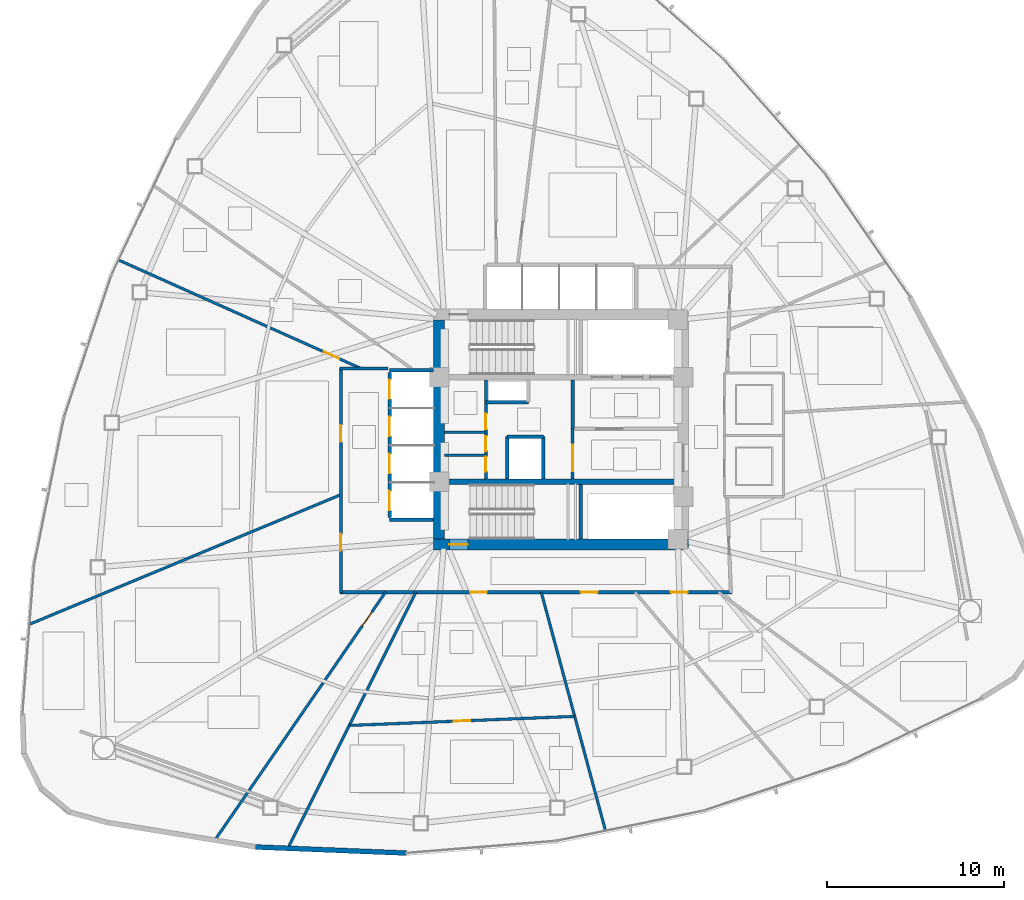
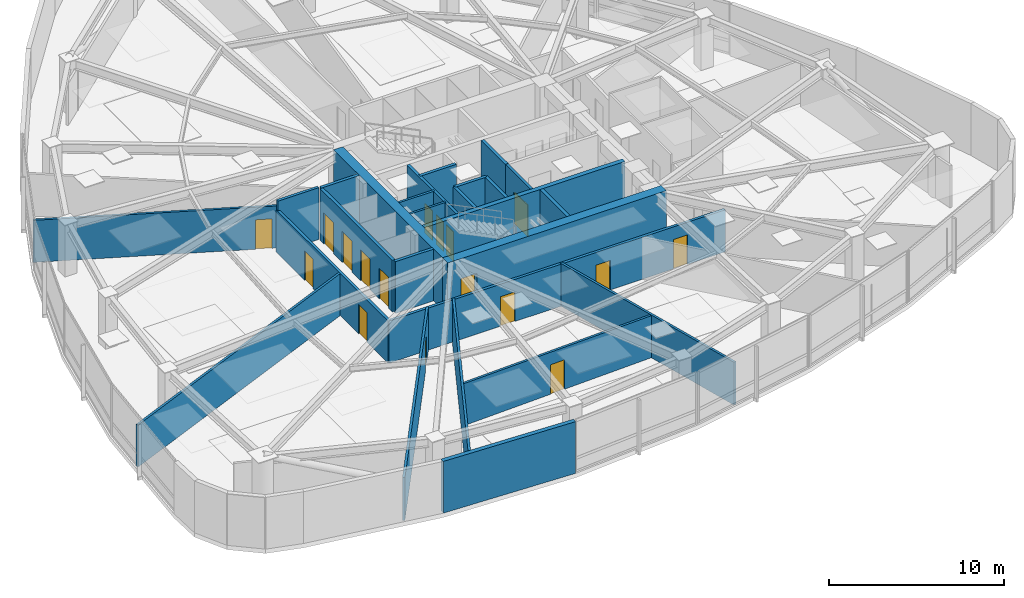
# One storey, part 12 of 18: 26 walls, 17 doors, 17 openings.
"""IFC4 building model written with IfcOpenShell, lengths in metres."""

from ifc_helpers import new_model, si_unit, direction, frame, frame_2d, origin, place, context, subcontext, project, spatial, rectangle, extrude, material, layer, layer_set, type_object, element, fill, save


model = new_model("IFC4")

# Units and contexts
model_context = context("Model", 3, precision=1e-05, world=origin(), true_north=direction((0.0, 1.0)))
body_context = subcontext(model_context, "Body", "Model", "MODEL_VIEW")
ifc_project = project(units=[si_unit("LENGTHUNIT", "METRE"), si_unit("AREAUNIT", "SQUARE_METRE"), si_unit("VOLUMEUNIT", "CUBIC_METRE"), si_unit("PLANEANGLEUNIT", "RADIAN"), si_unit("MASSUNIT", "GRAM", prefix="KILO")], contexts=[model_context])

# Site, building, storey
site_placement = place(None, origin())
site = spatial("IfcSite", under=ifc_project, at=site_placement, CompositionType="ELEMENT")
building_placement = place(site_placement, origin())
building = spatial("IfcBuilding", under=site, at=building_placement, Name="Tavelor Broadcast Tower", CompositionType="ELEMENT")
storey_placement = place(building_placement, frame((0.0, 0.0, 58.800048828125)))
storey = spatial("IfcBuildingStorey", under=building, at=storey_placement, Name="L13", CompositionType="ELEMENT", Elevation=58.800048828125)

# Wall, opening, door
ifc_material_1 = material(Name="Concrete C60/75", Category="concrete")
ifc_layer_1 = layer(ifc_material_1, 0.60009765625)
ifc_layer_set_1 = layer_set([ifc_layer_1], Name="Concrete C60/75")
wall_type_1 = type_object("IfcWallType", Name="Core Shear Wall 600 mm", PredefinedType="SHEAR", material=ifc_layer_set_1)
wall_1_placement = place(storey_placement, frame((42.800048828125, 38.5, 0.0), z_axis=(0.0, 0.0, 1.0), x_axis=(1.0, 0.0, 0.0)))
wall_1 = element("IfcWall", 1, at=wall_1_placement, inside=storey, type_object=wall_type_1, Name="L13 Central Core Shear Wall S", PredefinedType="SHEAR", context=body_context, shape_type="SweptSolid", body=[
    extrude(rectangle(XDim=14.39990234375, YDim=0.60009765625, at=frame_2d((7.199951171875, 0.0))), origin(), (0.0, 0.0, 1.0), 3.599853515625),
])
opening_1_placement = place(wall_1_placement, frame((0.8798828125, 0.0, 0.0)))
opening_1 = element("IfcOpeningElement", 2, at=opening_1_placement, cuts=wall_1, Name="Opening DR11", PredefinedType="OPENING", context=body_context, shape_type="SweptSolid", body=[
    extrude(rectangle(XDim=1.050048828125, YDim=2.199951171875, at=frame_2d((0.52490234375, 1.10009765625))), frame((0.0, 0.31005859375, 0.0), z_axis=(0.0, -1.0, 0.0), x_axis=(1.0, 0.0, 0.0)), (0.0, 0.0, 1.0), 0.6201171875),
])
ifc_material_2 = material(Name="Steel S355", Category="steel")
door_type_1 = type_object("IfcDoorType", Name="Stair Core Fire Escape Door 1050x2200", OperationType="NOTDEFINED", PredefinedType="DOOR", material=ifc_material_2)
door_1_placement = place(opening_1_placement, origin())
door_1 = element("IfcDoor", 3, at=door_1_placement, inside=storey, type_object=door_type_1, Name="L13 Stair ST2 Protected Exit Door", OperationType="SINGLE_SWING_RIGHT", OverallHeight=2.199951171875, OverallWidth=1.050048828125, PredefinedType="DOOR", context=body_context, shape_type="SweptSolid", body=[
    extrude(rectangle(XDim=1.050048828125, YDim=2.199951171875, at=frame_2d((0.52490234375, 1.10009765625))), frame((0.0, 0.02490234375, 0.0), z_axis=(0.0, -1.0, 0.0), x_axis=(1.0, 0.0, 0.0)), (0.0, 0.0, 1.0), 0.050048828125),
])
fill(opening_1, door_1)

# Walls
wall_2_placement = place(storey_placement, frame((43.10009765625, 38.800048828125, 0.0), z_axis=(0.0, 0.0, 1.0), x_axis=(0.0, 1.0, 0.0)))
element("IfcWall", 4, at=wall_2_placement, inside=storey, type_object=wall_type_1, Name="L13 Central Core Shear Wall W", PredefinedType="SHEAR", context=body_context, shape_type="SweptSolid", body=[
    extrude(rectangle(XDim=12.39990234375, YDim=0.60009765625, at=frame_2d((6.199951171875, 0.0))), origin(), (0.0, 0.0, 1.0), 3.599853515625),
])
ifc_layer_2 = layer(ifc_material_1, 0.300048828125)
ifc_layer_set_2 = layer_set([ifc_layer_2], Name="Concrete C60/75")
wall_type_2 = type_object("IfcWallType", Name="Core Spine Shear Wall 300 mm C60", PredefinedType="SHEAR", material=ifc_layer_set_2)
wall_3_placement = place(storey_placement, frame((43.39990234375, 42.050048828125, 0.0), z_axis=(0.0, 0.0, 1.0), x_axis=(1.0, 0.0, 0.0)))
element("IfcWall", 5, at=wall_3_placement, inside=storey, type_object=wall_type_2, Name="L13 Central Core Shear Wall SP2", PredefinedType="SHEAR", context=body_context, shape_type="SweptSolid", body=[
    extrude(rectangle(XDim=13.2001953125, YDim=0.300048828125, at=frame_2d((6.60009765625, 0.0))), origin(), (0.0, 0.0, 1.0), 3.599853515625),
])

# Wall, opening, door
ifc_material_3 = material(Name="Calcium Silicate Fire Board 180 mm", Category="gypsum")
ifc_layer_3 = layer(ifc_material_3, 0.179931640625)
ifc_layer_set_3 = layer_set([ifc_layer_3], Name="Calcium Silicate Fire Board 180 mm")
wall_type_3 = type_object("IfcWallType", Name="Fire-Rated Corridor Partition Wall 180 mm", PredefinedType="PARTITIONING", material=ifc_layer_set_3)
wall_4_placement = place(storey_placement, frame((50.64990234375, 42.199951171875, 0.0), z_axis=(0.0, 0.0, 1.0), x_axis=(0.0, 1.0, 0.0)))
wall_4 = element("IfcWall", 6, at=wall_4_placement, inside=storey, type_object=wall_type_3, Name="L13 Core Lobby Zoning Wall", PredefinedType="PARTITIONING", context=body_context, shape_type="SweptSolid", body=[
    extrude(rectangle(XDim=2.85009765625, YDim=0.179931640625, at=frame_2d((1.425048828125, 0.0))), origin(), (0.0, 0.0, 1.0), 3.599853515625),
])
opening_2_placement = place(wall_4_placement, frame((0.449951171875, 0.0, 0.0)))
opening_2 = element("IfcOpeningElement", 7, at=opening_2_placement, cuts=wall_4, Name="Opening DR14", PredefinedType="OPENING", context=body_context, shape_type="SweptSolid", body=[
    extrude(rectangle(XDim=1.5, YDim=2.199951171875, at=frame_2d((0.75, 1.10009765625))), frame((0.0, 0.10009765625, 0.0), z_axis=(0.0, -1.0, 0.0), x_axis=(1.0, 0.0, 0.0)), (0.0, 0.0, 1.0), 0.199951171875),
])
door_type_2 = type_object("IfcDoorType", Name="Firefighting Lobby Double Fire Door 1500x2200", OperationType="NOTDEFINED", PredefinedType="DOOR", material=ifc_material_2)
door_2_placement = place(opening_2_placement, origin())
door_2 = element("IfcDoor", 8, at=door_2_placement, inside=storey, type_object=door_type_2, Name="L13 Core West Lobby Double Fire Door", OperationType="SINGLE_SWING_RIGHT", OverallHeight=2.199951171875, OverallWidth=1.5, PredefinedType="DOOR", context=body_context, shape_type="SweptSolid", body=[
    extrude(rectangle(XDim=1.5, YDim=2.199951171875, at=frame_2d((0.75, 1.10009765625))), frame((0.0, 0.02490234375, 0.0), z_axis=(0.0, -1.0, 0.0), x_axis=(1.0, 0.0, 0.0)), (0.0, 0.0, 1.0), 0.050048828125),
])
fill(opening_2, door_2)

# Wall, openings, doors
wall_5_placement = place(storey_placement, frame((45.75, 42.199951171875, 0.0), z_axis=(0.0, 0.0, 1.0), x_axis=(0.0, 1.0, 0.0)))
wall_5 = element("IfcWall", 9, at=wall_5_placement, inside=storey, type_object=wall_type_3, Name="L13 Core West Service East Wall", PredefinedType="PARTITIONING", context=body_context, shape_type="SweptSolid", body=[
    extrude(rectangle(XDim=5.60009765625, YDim=0.179931640625, at=frame_2d((2.800048828125, 0.0))), origin(), (0.0, 0.0, 1.0), 3.599853515625),
])
opening_3_placement = place(wall_5_placement, frame((0.419921875, 0.0, 0.0)))
opening_3 = element("IfcOpeningElement", 10, at=opening_3_placement, cuts=wall_5, Name="Opening DR36", PredefinedType="OPENING", context=body_context, shape_type="SweptSolid", body=[
    extrude(rectangle(XDim=0.85009765625, YDim=2.050048828125, at=frame_2d((0.425048828125, 1.02490234375))), frame((0.0, 0.10009765625, 0.0), z_axis=(0.0, -1.0, 0.0), x_axis=(1.0, 0.0, 0.0)), (0.0, 0.0, 1.0), 0.199951171875),
])
opening_4_placement = place(wall_5_placement, frame((1.570068359375, 0.0, 0.0)))
opening_4 = element("IfcOpeningElement", 11, at=opening_4_placement, cuts=wall_5, Name="Opening DR36", PredefinedType="OPENING", context=body_context, shape_type="SweptSolid", body=[
    extrude(rectangle(XDim=0.85009765625, YDim=2.050048828125, at=frame_2d((0.425048828125, 1.02490234375))), frame((0.0, 0.10009765625, 0.0), z_axis=(0.0, -1.0, 0.0), x_axis=(1.0, 0.0, 0.0)), (0.0, 0.0, 1.0), 0.199951171875),
])
opening_5_placement = place(wall_5_placement, frame((2.800048828125, 0.0, 0.0)))
opening_5 = element("IfcOpeningElement", 12, at=opening_5_placement, cuts=wall_5, Name="Opening DR32", PredefinedType="OPENING", context=body_context, shape_type="SweptSolid", body=[
    extrude(rectangle(XDim=0.89990234375, YDim=2.050048828125, at=frame_2d((0.449951171875, 1.02490234375))), frame((0.0, 0.10009765625, 0.0), z_axis=(0.0, -1.0, 0.0), x_axis=(1.0, 0.0, 0.0)), (0.0, 0.0, 1.0), 0.199951171875),
])
ifc_material_4 = material(Name="Timber Solid Core Hardwood", Category="wood")
door_type_3 = type_object("IfcDoorType", Name="Accessible Washroom Door 900x2050", OperationType="NOTDEFINED", PredefinedType="DOOR", material=ifc_material_4)
door_3_placement = place(opening_5_placement, origin())
door_3 = element("IfcDoor", 13, at=door_3_placement, inside=storey, type_object=door_type_3, Name="L13 Core Accessible WC Door", OperationType="SINGLE_SWING_LEFT", OverallHeight=2.050048828125, OverallWidth=0.89990234375, PredefinedType="DOOR", context=body_context, shape_type="SweptSolid", body=[
    extrude(rectangle(XDim=0.89990234375, YDim=2.050048828125, at=frame_2d((0.449951171875, 1.02490234375))), frame((0.0, 0.02490234375, 0.0), z_axis=(0.0, -1.0, 0.0), x_axis=(1.0, 0.0, 0.0)), (0.0, 0.0, 1.0), 0.050048828125),
])
fill(opening_5, door_3)
door_type_4 = type_object("IfcDoorType", Name="Service Room Fire Door 850x2050", OperationType="NOTDEFINED", PredefinedType="DOOR", material=ifc_material_2)
door_4_placement = place(opening_3_placement, origin())
door_4 = element("IfcDoor", 14, at=door_4_placement, inside=storey, type_object=door_type_4, Name="L13 Core Medical Room Door", OperationType="SINGLE_SWING_LEFT", OverallHeight=2.050048828125, OverallWidth=0.85009765625, PredefinedType="DOOR", context=body_context, shape_type="SweptSolid", body=[
    extrude(rectangle(XDim=0.85009765625, YDim=2.050048828125, at=frame_2d((0.425048828125, 1.02490234375))), frame((0.0, 0.02490234375, 0.0), z_axis=(0.0, -1.0, 0.0), x_axis=(1.0, 0.0, 0.0)), (0.0, 0.0, 1.0), 0.050048828125),
])
fill(opening_3, door_4)
door_5_placement = place(opening_4_placement, origin())
door_5 = element("IfcDoor", 15, at=door_5_placement, inside=storey, type_object=door_type_4, Name="L13 Core Copy Room Door", OperationType="SINGLE_SWING_RIGHT", OverallHeight=2.050048828125, OverallWidth=0.85009765625, PredefinedType="DOOR", context=body_context, shape_type="SweptSolid", body=[
    extrude(rectangle(XDim=0.85009765625, YDim=2.050048828125, at=frame_2d((0.425048828125, 1.02490234375))), frame((0.0, 0.02490234375, 0.0), z_axis=(0.0, -1.0, 0.0), x_axis=(1.0, 0.0, 0.0)), (0.0, 0.0, 1.0), 0.050048828125),
])
fill(opening_4, door_5)

wall_6_placement = place(storey_placement, frame((59.64990234375, 35.800048828125, 0.0), z_axis=(0.0, 0.0, 1.0), x_axis=(-1.0, 0.0, 0.0)))
wall_6 = element("IfcWall", 16, at=wall_6_placement, inside=storey, type_object=wall_type_3, Name="L13 Corridor Compartment Wall 04", PredefinedType="PARTITIONING", context=body_context, shape_type="SweptSolid", body=[
    extrude(rectangle(XDim=22.14990234375, YDim=0.179931640625, at=frame_2d((11.074951171875, 0.0))), origin(), (0.0, 0.0, 1.0), 2.925048828125),
])
opening_6_placement = place(wall_6_placement, frame((2.49267578125, 0.0, 0.0)))
opening_6 = element("IfcOpeningElement", 17, at=opening_6_placement, cuts=wall_6, Name="Opening DR18", PredefinedType="OPENING", context=body_context, shape_type="SweptSolid", body=[
    extrude(rectangle(XDim=0.949951171875, YDim=2.050048828125, at=frame_2d((0.47509765625, 1.02490234375))), frame((0.0, 0.10009765625, 0.0), z_axis=(0.0, -1.0, 0.0), x_axis=(1.0, 0.0, 0.0)), (0.0, 0.0, 1.0), 0.199951171875),
])
opening_7_placement = place(wall_6_placement, frame((7.58837890625, 0.0, 0.0)))
opening_7 = element("IfcOpeningElement", 18, at=opening_7_placement, cuts=wall_6, Name="Opening DR18", PredefinedType="OPENING", context=body_context, shape_type="SweptSolid", body=[
    extrude(rectangle(XDim=0.949951171875, YDim=2.050048828125, at=frame_2d((0.47509765625, 1.02490234375))), frame((0.0, 0.10009765625, 0.0), z_axis=(0.0, -1.0, 0.0), x_axis=(1.0, 0.0, 0.0)), (0.0, 0.0, 1.0), 0.199951171875),
])
opening_8_placement = place(wall_6_placement, frame((13.847900390625, 0.0, 0.0)))
opening_8 = element("IfcOpeningElement", 19, at=opening_8_placement, cuts=wall_6, Name="Opening DR18", PredefinedType="OPENING", context=body_context, shape_type="SweptSolid", body=[
    extrude(rectangle(XDim=0.949951171875, YDim=2.050048828125, at=frame_2d((0.47509765625, 1.02490234375))), frame((0.0, 0.10009765625, 0.0), z_axis=(0.0, -1.0, 0.0), x_axis=(1.0, 0.0, 0.0)), (0.0, 0.0, 1.0), 0.199951171875),
])
door_type_5 = type_object("IfcDoorType", Name="Corridor Rated Compartment Door 950x2050", OperationType="NOTDEFINED", PredefinedType="DOOR", material=ifc_material_4)
door_6_placement = place(opening_6_placement, origin())
door_6 = element("IfcDoor", 20, at=door_6_placement, inside=storey, type_object=door_type_5, Name="L13 Broadcast Crew Room Door R11", OperationType="SINGLE_SWING_LEFT", OverallHeight=2.050048828125, OverallWidth=0.949951171875, PredefinedType="DOOR", context=body_context, shape_type="SweptSolid", body=[
    extrude(rectangle(XDim=0.949951171875, YDim=2.050048828125, at=frame_2d((0.47509765625, 1.02490234375))), frame((0.0, 0.02490234375, 0.0), z_axis=(0.0, -1.0, 0.0), x_axis=(1.0, 0.0, 0.0)), (0.0, 0.0, 1.0), 0.050048828125),
])
fill(opening_6, door_6)
door_7_placement = place(opening_7_placement, origin())
door_7 = element("IfcDoor", 21, at=door_7_placement, inside=storey, type_object=door_type_5, Name="L13 International Bureau Office Door R12", OperationType="SINGLE_SWING_RIGHT", OverallHeight=2.050048828125, OverallWidth=0.949951171875, PredefinedType="DOOR", context=body_context, shape_type="SweptSolid", body=[
    extrude(rectangle(XDim=0.949951171875, YDim=2.050048828125, at=frame_2d((0.47509765625, 1.02490234375))), frame((0.0, 0.02490234375, 0.0), z_axis=(0.0, -1.0, 0.0), x_axis=(1.0, 0.0, 0.0)), (0.0, 0.0, 1.0), 0.050048828125),
])
fill(opening_7, door_7)
door_8_placement = place(opening_8_placement, origin())
door_8 = element("IfcDoor", 22, at=door_8_placement, inside=storey, type_object=door_type_5, Name="L13 Wellness Quiet Room Door R13", OperationType="SINGLE_SWING_LEFT", OverallHeight=2.050048828125, OverallWidth=0.949951171875, PredefinedType="DOOR", context=body_context, shape_type="SweptSolid", body=[
    extrude(rectangle(XDim=0.949951171875, YDim=2.050048828125, at=frame_2d((0.47509765625, 1.02490234375))), frame((0.0, 0.02490234375, 0.0), z_axis=(0.0, -1.0, 0.0), x_axis=(1.0, 0.0, 0.0)), (0.0, 0.0, 1.0), 0.050048828125),
])
fill(opening_8, door_8)

wall_7_placement = place(storey_placement, frame((37.550048828125, 35.75, 0.0), z_axis=(0.0, 0.0, 1.0), x_axis=(0.0, 1.0, 0.0)))
wall_7 = element("IfcWall", 23, at=wall_7_placement, inside=storey, type_object=wall_type_3, Name="L13 Corridor Compartment Wall 05", PredefinedType="PARTITIONING", context=body_context, shape_type="SweptSolid", body=[
    extrude(rectangle(XDim=12.75, YDim=0.179931640625, at=frame_2d((6.375, 0.0))), origin(), (0.0, 0.0, 1.0), 2.925048828125),
])
opening_9_placement = place(wall_7_placement, frame((2.39990234375, 0.0, 0.0)))
opening_9 = element("IfcOpeningElement", 24, at=opening_9_placement, cuts=wall_7, Name="Opening DR18", PredefinedType="OPENING", context=body_context, shape_type="SweptSolid", body=[
    extrude(rectangle(XDim=0.949951171875, YDim=2.050048828125, at=frame_2d((0.47509765625, 1.02490234375))), frame((0.0, 0.10009765625, 0.0), z_axis=(0.0, -1.0, 0.0), x_axis=(1.0, 0.0, 0.0)), (0.0, 0.0, 1.0), 0.199951171875),
])
opening_10_placement = place(wall_7_placement, frame((8.546875, 0.0, 0.0)))
opening_10 = element("IfcOpeningElement", 25, at=opening_10_placement, cuts=wall_7, Name="Opening DR18", PredefinedType="OPENING", context=body_context, shape_type="SweptSolid", body=[
    extrude(rectangle(XDim=0.949951171875, YDim=2.050048828125, at=frame_2d((0.47509765625, 1.02490234375))), frame((0.0, 0.10009765625, 0.0), z_axis=(0.0, -1.0, 0.0), x_axis=(1.0, 0.0, 0.0)), (0.0, 0.0, 1.0), 0.199951171875),
])
door_9_placement = place(opening_9_placement, origin())
door_9 = element("IfcDoor", 26, at=door_9_placement, inside=storey, type_object=door_type_5, Name="L13 VFX Compositing Lab Door R2", OperationType="SINGLE_SWING_RIGHT", OverallHeight=2.050048828125, OverallWidth=0.949951171875, PredefinedType="DOOR", context=body_context, shape_type="SweptSolid", body=[
    extrude(rectangle(XDim=0.949951171875, YDim=2.050048828125, at=frame_2d((0.47509765625, 1.02490234375))), frame((0.0, 0.02490234375, 0.0), z_axis=(0.0, -1.0, 0.0), x_axis=(1.0, 0.0, 0.0)), (0.0, 0.0, 1.0), 0.050048828125),
])
fill(opening_9, door_9)
door_10_placement = place(opening_10_placement, origin())
door_10 = element("IfcDoor", 27, at=door_10_placement, inside=storey, type_object=door_type_5, Name="L13 Broadcast Production Studio Door R3", OperationType="SINGLE_SWING_LEFT", OverallHeight=2.050048828125, OverallWidth=0.949951171875, PredefinedType="DOOR", context=body_context, shape_type="SweptSolid", body=[
    extrude(rectangle(XDim=0.949951171875, YDim=2.050048828125, at=frame_2d((0.47509765625, 1.02490234375))), frame((0.0, 0.02490234375, 0.0), z_axis=(0.0, -1.0, 0.0), x_axis=(1.0, 0.0, 0.0)), (0.0, 0.0, 1.0), 0.050048828125),
])
fill(opening_10, door_10)

# Walls
wall_8_placement = place(storey_placement, frame((37.5, 48.449951171875, 0.0), z_axis=(0.0, 0.0, 1.0), x_axis=(1.0, 0.0, 0.0)))
element("IfcWall", 28, at=wall_8_placement, inside=storey, type_object=wall_type_3, Name="L13 Corridor Compartment Wall 06", PredefinedType="PARTITIONING", context=body_context, shape_type="SweptSolid", body=[
    extrude(rectangle(XDim=2.699951171875, YDim=0.179931640625, at=frame_2d((1.35009765625, 0.0))), origin(), (0.0, 0.0, 1.0), 3.599853515625),
])
ifc_material_5 = material(Name="Precast Concrete C40/50", Category="concrete")
ifc_layer_4 = layer(ifc_material_5, 0.280029296875)
ifc_layer_set_4 = layer_set([ifc_layer_4], Name="Precast Concrete C40/50")
wall_type_4 = type_object("IfcWallType", Name="Insulated Precast Terracotta Facade Wall 280 mm", PredefinedType="STANDARD", material=ifc_layer_set_4)
wall_9_placement = place(storey_placement, frame((32.73193359375, 21.393798828125, 0.0), z_axis=(0.0, 0.0, 1.0), x_axis=(0.999176184283, -0.040582665776, 0.0)))
element("IfcWall", 29, at=wall_9_placement, inside=storey, type_object=wall_type_4, Name="L13 Rounded Corner Structural Cladding Pier 16", PredefinedType="STANDARD", context=body_context, shape_type="SweptSolid", body=[
    extrude(rectangle(XDim=8.5185546875, YDim=0.280029296875, at=frame_2d((4.25927734375, 0.0))), origin(), (0.0, 0.0, 1.0), 3.599853515625),
])
ifc_material_6 = material(Name="Gypsum Acoustic Plasterboard 150 mm", Category="gypsum")
ifc_layer_5 = layer(ifc_material_6, 0.14990234375)
ifc_layer_set_5 = layer_set([ifc_layer_5], Name="Gypsum Acoustic Plasterboard 150 mm")
wall_type_5 = type_object("IfcWallType", Name="Interior Acoustic Partition Wall 150 mm", PredefinedType="PARTITIONING", material=ifc_layer_set_5)
for number, where, z_axis, x_axis, name in (
    (30, (43.39990234375, 43.550048828125, 0.0), (0.0, 0.0, 1.0), (1.0, 0.0, 0.0), "L13 Core Split Wall B1"),
    (31, (43.39990234375, 44.85009765625, 0.0), (0.0, 0.0, 1.0), (1.0, 0.0, 0.0), "L13 Core Split Wall B2"),
):
    element("IfcWall", number, at=place(storey_placement, frame(where, z_axis=z_axis, x_axis=x_axis)), inside=storey, type_object=wall_type_5, Name=name, PredefinedType="PARTITIONING", context=body_context, shape_type="SweptSolid", body=[
        extrude(rectangle(XDim=2.35009765625, YDim=0.14990234375, at=frame_2d((1.175048828125, 0.0))), origin(), (0.0, 0.0, 1.0), 3.599853515625),
    ])

# Wall, opening, door
wall_10_placement = place(storey_placement, frame((38.688232421875, 48.449951171875, 0.0), z_axis=(0.0, 0.0, 1.0), x_axis=(-0.912819845818, 0.408362497153, 0.0)))
wall_10 = element("IfcWall", 32, at=wall_10_placement, inside=storey, type_object=wall_type_5, Name="L13 Radial Compartment Wall 04", PredefinedType="PARTITIONING", context=body_context, shape_type="SweptSolid", body=[
    extrude(rectangle(XDim=15.025146484375, YDim=0.14990234375, at=frame_2d((7.5126953125, 0.0))), origin(), (0.0, 0.0, 1.0), 2.925048828125),
])
opening_11_placement = place(wall_10_placement, frame((1.35009765625, 0.0, 0.0)))
opening_11 = element("IfcOpeningElement", 33, at=opening_11_placement, cuts=wall_10, Name="Opening DR18", PredefinedType="OPENING", context=body_context, shape_type="SweptSolid", body=[
    extrude(rectangle(XDim=0.949951171875, YDim=2.050048828125, at=frame_2d((0.47509765625, 1.02490234375))), frame((0.0, 0.0849609375, 0.0), z_axis=(0.0, -1.0, 0.0), x_axis=(1.0, 0.0, 0.0)), (0.0, 0.0, 1.0), 0.169921875),
])
door_11_placement = place(opening_11_placement, origin())
door_11 = element("IfcDoor", 34, at=door_11_placement, inside=storey, type_object=door_type_5, Name="L13 Suite Connecting Door 4", OperationType="SINGLE_SWING_LEFT", OverallHeight=2.050048828125, OverallWidth=0.949951171875, PredefinedType="DOOR", context=body_context, shape_type="SweptSolid", body=[
    extrude(rectangle(XDim=0.949951171875, YDim=2.050048828125, at=frame_2d((0.47509765625, 1.02490234375))), frame((0.0, 0.02490234375, 0.0), z_axis=(0.0, -1.0, 0.0), x_axis=(1.0, 0.0, 0.0)), (0.0, 0.0, 1.0), 0.050048828125),
])
fill(opening_11, door_11)

# Wall
wall_11_placement = place(storey_placement, frame((37.550048828125, 41.315673828125, 0.0), z_axis=(0.0, 0.0, 1.0), x_axis=(-0.923195021272, -0.384331826288, 0.0)))
element("IfcWall", 35, at=wall_11_placement, inside=storey, type_object=wall_type_5, Name="L13 Radial Compartment Wall 05", PredefinedType="PARTITIONING", context=body_context, shape_type="SweptSolid", body=[
    extrude(rectangle(XDim=19.075439453125, YDim=0.14990234375, at=frame_2d((9.53759765625, 0.0))), origin(), (0.0, 0.0, 1.0), 2.925048828125),
])

# Wall, opening, door
wall_12_placement = place(storey_placement, frame((40.0703125, 35.800048828125, 0.0), z_axis=(0.0, 0.0, 1.0), x_axis=(-0.566800646894, -0.823854979156, 0.0)))
wall_12 = element("IfcWall", 36, at=wall_12_placement, inside=storey, type_object=wall_type_5, Name="L13 Radial Compartment Wall 06", PredefinedType="PARTITIONING", context=body_context, shape_type="SweptSolid", body=[
    extrude(rectangle(XDim=17.036865234375, YDim=0.14990234375, at=frame_2d((8.5185546875, 0.0))), origin(), (0.0, 0.0, 1.0), 2.974853515625),
])
opening_12_placement = place(wall_12_placement, frame((1.35009765625, 0.0, 0.0)))
opening_12 = element("IfcOpeningElement", 37, at=opening_12_placement, cuts=wall_12, Name="Opening DR18", PredefinedType="OPENING", context=body_context, shape_type="SweptSolid", body=[
    extrude(rectangle(XDim=0.949951171875, YDim=2.050048828125, at=frame_2d((0.47509765625, 1.02490234375))), frame((0.0, 0.0849609375, 0.0), z_axis=(0.0, -1.0, 0.0), x_axis=(1.0, 0.0, 0.0)), (0.0, 0.0, 1.0), 0.169921875),
])
door_12_placement = place(opening_12_placement, origin())
door_12 = element("IfcDoor", 38, at=door_12_placement, inside=storey, type_object=door_type_5, Name="L13 Suite Connecting Door 1", OperationType="SINGLE_SWING_RIGHT", OverallHeight=2.050048828125, OverallWidth=0.949951171875, PredefinedType="DOOR", context=body_context, shape_type="SweptSolid", body=[
    extrude(rectangle(XDim=0.949951171875, YDim=2.050048828125, at=frame_2d((0.47509765625, 1.02490234375))), frame((0.0, 0.02490234375, 0.0), z_axis=(0.0, -1.0, 0.0), x_axis=(1.0, 0.0, 0.0)), (0.0, 0.0, 1.0), 0.050048828125),
])
fill(opening_12, door_12)

# Walls
wall_13_placement = place(storey_placement, frame((41.794677734375, 35.800048828125, 0.0), z_axis=(0.0, 0.0, 1.0), x_axis=(-0.447635416898, -0.894216155937, 0.0)))
element("IfcWall", 39, at=wall_13_placement, inside=storey, type_object=wall_type_5, Name="L13 Radial Compartment Wall 07", PredefinedType="PARTITIONING", context=body_context, shape_type="SweptSolid", body=[
    extrude(rectangle(XDim=16.203857421875, YDim=0.14990234375, at=frame_2d((8.10205078125, 0.0))), origin(), (0.0, 0.0, 1.0), 2.974853515625),
])
wall_14_placement = place(storey_placement, frame((48.87841796875, 35.800048828125, 0.0), z_axis=(0.0, 0.0, 1.0), x_axis=(0.260086172294, -0.96558540947, 0.0)))
element("IfcWall", 40, at=wall_14_placement, inside=storey, type_object=wall_type_5, Name="L13 Radial Compartment Wall 08", PredefinedType="PARTITIONING", context=body_context, shape_type="SweptSolid", body=[
    extrude(rectangle(XDim=13.983642578125, YDim=0.14990234375, at=frame_2d((6.99169921875, 0.0))), origin(), (0.0, 0.0, 1.0), 2.974853515625),
])

# Wall, opening, door
wall_15_placement = place(storey_placement, frame((38.02294921875, 28.265380859375, 0.0), z_axis=(0.0, 0.0, 1.0), x_axis=(0.999189792099, 0.04024623418, 0.0)))
wall_15 = element("IfcWall", 41, at=wall_15_placement, inside=storey, type_object=wall_type_5, Name="L13 Suite Chord Partition Wall 01", PredefinedType="PARTITIONING", context=body_context, shape_type="SweptSolid", body=[
    extrude(rectangle(XDim=12.757080078125, YDim=0.14990234375, at=frame_2d((6.37841796875, 0.0))), origin(), (0.0, 0.0, 1.0), 2.925048828125),
])
opening_13_placement = place(wall_15_placement, frame((5.903564453125, 0.0, 0.0)))
opening_13 = element("IfcOpeningElement", 42, at=opening_13_placement, cuts=wall_15, Name="Opening DR23", PredefinedType="OPENING", context=body_context, shape_type="SweptSolid", body=[
    extrude(rectangle(XDim=0.949951171875, YDim=2.050048828125, at=frame_2d((0.47509765625, 1.02490234375))), frame((0.0, 0.0849609375, 0.0), z_axis=(0.0, -1.0, 0.0), x_axis=(1.0, 0.0, 0.0)), (0.0, 0.0, 1.0), 0.169921875),
])
door_type_6 = type_object("IfcDoorType", Name="Editorial Room Acoustic Door 950x2050", OperationType="NOTDEFINED", PredefinedType="DOOR", material=ifc_material_4)
door_13_placement = place(opening_13_placement, origin())
door_13 = element("IfcDoor", 43, at=door_13_placement, inside=storey, type_object=door_type_6, Name="L13 Outer Suite Partition Door 1", OperationType="SINGLE_SWING_LEFT", OverallHeight=2.050048828125, OverallWidth=0.949951171875, PredefinedType="DOOR", context=body_context, shape_type="SweptSolid", body=[
    extrude(rectangle(XDim=0.949951171875, YDim=2.050048828125, at=frame_2d((0.47509765625, 1.02490234375))), frame((0.0, 0.02490234375, 0.0), z_axis=(0.0, -1.0, 0.0), x_axis=(1.0, 0.0, 0.0)), (0.0, 0.0, 1.0), 0.050048828125),
])
fill(opening_13, door_13)

# Wall, openings, doors
ifc_material_7 = material(Name="Concrete Blockwork 200 mm", Category="masonry")
ifc_layer_6 = layer(ifc_material_7, 0.199951171875)
ifc_layer_set_6 = layer_set([ifc_layer_6], Name="Concrete Blockwork 200 mm")
wall_type_6 = type_object("IfcWallType", Name="Lift Hoistway Rated Front Wall 200 mm", PredefinedType="PARTITIONING", material=ifc_layer_set_6)
wall_16_placement = place(storey_placement, frame((40.300048828125, 40.02001953125, 0.0), z_axis=(0.0, 0.0, 1.0), x_axis=(0.0, 1.0, 0.0)))
wall_16 = element("IfcWall", 44, at=wall_16_placement, inside=storey, type_object=wall_type_6, Name="L13 Low-Rise Lift Hoistway Front Wall", PredefinedType="PARTITIONING", context=body_context, shape_type="SweptSolid", body=[
    extrude(rectangle(XDim=8.2099609375, YDim=0.199951171875, at=frame_2d((4.10498046875, 0.0))), origin(), (0.0, 0.0, 1.0), 3.599853515625),
])
opening_14_placement = place(wall_16_placement, frame((0.405029296875, 0.0, 0.0)))
opening_14 = element("IfcOpeningElement", 45, at=opening_14_placement, cuts=wall_16, Name="Opening LD01", PredefinedType="OPENING", context=body_context, shape_type="SweptSolid", body=[
    extrude(rectangle(XDim=1.10009765625, YDim=2.14990234375, at=frame_2d((0.550048828125, 1.074951171875))), frame((0.0, 0.10986328125, 0.0), z_axis=(0.0, -1.0, 0.0), x_axis=(1.0, 0.0, 0.0)), (0.0, 0.0, 1.0), 0.219970703125),
])
opening_15_placement = place(wall_16_placement, frame((2.5048828125, 0.0, 0.0)))
opening_15 = element("IfcOpeningElement", 46, at=opening_15_placement, cuts=wall_16, Name="Opening LD01", PredefinedType="OPENING", context=body_context, shape_type="SweptSolid", body=[
    extrude(rectangle(XDim=1.10009765625, YDim=2.14990234375, at=frame_2d((0.550048828125, 1.074951171875))), frame((0.0, 0.10986328125, 0.0), z_axis=(0.0, -1.0, 0.0), x_axis=(1.0, 0.0, 0.0)), (0.0, 0.0, 1.0), 0.219970703125),
])
opening_16_placement = place(wall_16_placement, frame((4.60498046875, 0.0, 0.0)))
opening_16 = element("IfcOpeningElement", 47, at=opening_16_placement, cuts=wall_16, Name="Opening LD01", PredefinedType="OPENING", context=body_context, shape_type="SweptSolid", body=[
    extrude(rectangle(XDim=1.10009765625, YDim=2.14990234375, at=frame_2d((0.550048828125, 1.074951171875))), frame((0.0, 0.10986328125, 0.0), z_axis=(0.0, -1.0, 0.0), x_axis=(1.0, 0.0, 0.0)), (0.0, 0.0, 1.0), 0.219970703125),
])
opening_17_placement = place(wall_16_placement, frame((6.705078125, 0.0, 0.0)))
opening_17 = element("IfcOpeningElement", 48, at=opening_17_placement, cuts=wall_16, Name="Opening LD01", PredefinedType="OPENING", context=body_context, shape_type="SweptSolid", body=[
    extrude(rectangle(XDim=1.10009765625, YDim=2.14990234375, at=frame_2d((0.550048828125, 1.074951171875))), frame((0.0, 0.10986328125, 0.0), z_axis=(0.0, -1.0, 0.0), x_axis=(1.0, 0.0, 0.0)), (0.0, 0.0, 1.0), 0.219970703125),
])
ifc_material_8 = material(Name="Brushed Stainless Steel", Category="steel")
door_type_7 = type_object("IfcDoorType", Name="Passenger Lift Sliding Landing Door 1100x2150", OperationType="NOTDEFINED", PredefinedType="DOOR", material=ifc_material_8)
door_14_placement = place(opening_14_placement, origin())
door_14 = element("IfcDoor", 49, at=door_14_placement, inside=storey, type_object=door_type_7, Name="L13 Lift PLL1 Sliding Landing Door", OperationType="SLIDING_TO_LEFT", OverallHeight=2.14990234375, OverallWidth=1.10009765625, PredefinedType="DOOR", context=body_context, shape_type="SweptSolid", body=[
    extrude(rectangle(XDim=1.10009765625, YDim=2.14990234375, at=frame_2d((0.550048828125, 1.074951171875))), frame((0.0, 0.02490234375, 0.0), z_axis=(0.0, -1.0, 0.0), x_axis=(1.0, 0.0, 0.0)), (0.0, 0.0, 1.0), 0.050048828125),
])
fill(opening_14, door_14)
door_15_placement = place(opening_15_placement, origin())
door_15 = element("IfcDoor", 50, at=door_15_placement, inside=storey, type_object=door_type_7, Name="L13 Lift PLL2 Sliding Landing Door", OperationType="SLIDING_TO_RIGHT", OverallHeight=2.14990234375, OverallWidth=1.10009765625, PredefinedType="DOOR", context=body_context, shape_type="SweptSolid", body=[
    extrude(rectangle(XDim=1.10009765625, YDim=2.14990234375, at=frame_2d((0.550048828125, 1.074951171875))), frame((0.0, 0.02490234375, 0.0), z_axis=(0.0, -1.0, 0.0), x_axis=(1.0, 0.0, 0.0)), (0.0, 0.0, 1.0), 0.050048828125),
])
fill(opening_15, door_15)
door_16_placement = place(opening_16_placement, origin())
door_16 = element("IfcDoor", 51, at=door_16_placement, inside=storey, type_object=door_type_7, Name="L13 Lift PLL3 Sliding Landing Door", OperationType="SLIDING_TO_LEFT", OverallHeight=2.14990234375, OverallWidth=1.10009765625, PredefinedType="DOOR", context=body_context, shape_type="SweptSolid", body=[
    extrude(rectangle(XDim=1.10009765625, YDim=2.14990234375, at=frame_2d((0.550048828125, 1.074951171875))), frame((0.0, 0.02490234375, 0.0), z_axis=(0.0, -1.0, 0.0), x_axis=(1.0, 0.0, 0.0)), (0.0, 0.0, 1.0), 0.050048828125),
])
fill(opening_16, door_16)
door_17_placement = place(opening_17_placement, origin())
door_17 = element("IfcDoor", 52, at=door_17_placement, inside=storey, type_object=door_type_7, Name="L13 Lift PLL4 Sliding Landing Door", OperationType="SLIDING_TO_RIGHT", OverallHeight=2.14990234375, OverallWidth=1.10009765625, PredefinedType="DOOR", context=body_context, shape_type="SweptSolid", body=[
    extrude(rectangle(XDim=1.10009765625, YDim=2.14990234375, at=frame_2d((0.550048828125, 1.074951171875))), frame((0.0, 0.02490234375, 0.0), z_axis=(0.0, -1.0, 0.0), x_axis=(1.0, 0.0, 0.0)), (0.0, 0.0, 1.0), 0.050048828125),
])
fill(opening_17, door_17)

# Walls
wall_17_placement = place(storey_placement, frame((49.0, 42.199951171875, 0.0), z_axis=(0.0, 0.0, 1.0), x_axis=(0.0, 1.0, 0.0)))
element("IfcWall", 53, at=wall_17_placement, inside=storey, type_object=wall_type_6, Name="L13 Mid-Rise Lift PLM4 Hoistway Front Wall", PredefinedType="PARTITIONING", context=body_context, shape_type="SweptSolid", body=[
    extrude(rectangle(XDim=2.400146484375, YDim=0.199951171875, at=frame_2d((1.2001953125, 0.0))), origin(), (0.0, 0.0, 1.0), 3.599853515625),
])
ifc_layer_7 = layer(ifc_material_7, 0.199951171875)
ifc_layer_set_7 = layer_set([ifc_layer_7], Name="Concrete Blockwork 200 mm")
wall_type_7 = type_object("IfcWallType", Name="Lift and Riser Shaft Enclosure Wall 200 mm", PredefinedType="PARTITIONING", material=ifc_layer_set_7)
for number, where, z_axis, x_axis, name in (
    (54, (40.300048828125, 39.89990234375, 0.0), (0.0, 0.0, 1.0), (1.0, 0.0, 0.0), "L13 Low-Rise Lift Shaft South Wall"),
    (55, (40.300048828125, 48.35009765625, 0.0), (0.0, 0.0, 1.0), (1.0, 0.0, 0.0), "L13 Low-Rise Lift Shaft North Wall"),
):
    element("IfcWall", number, at=place(storey_placement, frame(where, z_axis=z_axis, x_axis=x_axis)), inside=storey, type_object=wall_type_7, Name=name, PredefinedType="PARTITIONING", context=body_context, shape_type="SweptSolid", body=[
        extrude(rectangle(XDim=2.5, YDim=0.199951171875, at=frame_2d((1.25, 0.0))), origin(), (0.0, 0.0, 1.0), 3.599853515625),
    ])
wall_18_placement = place(storey_placement, frame((45.75, 46.550048828125, 0.0), z_axis=(0.0, 0.0, 1.0), x_axis=(1.0, 0.0, 0.0)))
element("IfcWall", 56, at=wall_18_placement, inside=storey, type_object=wall_type_7, Name="L13 Riser Shaft South Wall", PredefinedType="PARTITIONING", context=body_context, shape_type="SweptSolid", body=[
    extrude(rectangle(XDim=2.39990234375, YDim=0.199951171875, at=frame_2d((1.199951171875, 0.0))), origin(), (0.0, 0.0, 1.0), 3.599853515625),
])
wall_19_placement = place(storey_placement, frame((46.949951171875, 42.199951171875, 0.0), z_axis=(0.0, 0.0, 1.0), x_axis=(0.0, 1.0, 0.0)))
element("IfcWall", 57, at=wall_19_placement, inside=storey, type_object=wall_type_7, Name="L13 Mid-Rise Lift PLM4 West Wall", PredefinedType="PARTITIONING", context=body_context, shape_type="SweptSolid", body=[
    extrude(rectangle(XDim=2.400146484375, YDim=0.199951171875, at=frame_2d((1.2001953125, 0.0))), origin(), (0.0, 0.0, 1.0), 3.599853515625),
])
wall_20_placement = place(storey_placement, frame((46.949951171875, 44.60009765625, 0.0), z_axis=(0.0, 0.0, 1.0), x_axis=(1.0, 0.0, 0.0)))
element("IfcWall", 58, at=wall_20_placement, inside=storey, type_object=wall_type_7, Name="L13 Mid-Rise Lift PLM4 North Wall", PredefinedType="PARTITIONING", context=body_context, shape_type="SweptSolid", body=[
    extrude(rectangle(XDim=2.050048828125, YDim=0.199951171875, at=frame_2d((1.02490234375, 0.0))), origin(), (0.0, 0.0, 1.0), 3.599853515625),
])
wall_21_placement = place(storey_placement, frame((50.64990234375, 45.050048828125, 0.0), z_axis=(0.0, 0.0, 1.0), x_axis=(0.0, 1.0, 0.0)))
element("IfcWall", 59, at=wall_21_placement, inside=storey, type_object=wall_type_7, Name="L13 Firefighting Lobby West Wall", PredefinedType="PARTITIONING", context=body_context, shape_type="SweptSolid", body=[
    extrude(rectangle(XDim=2.75, YDim=0.199951171875, at=frame_2d((1.375, 0.0))), origin(), (0.0, 0.0, 1.0), 3.599853515625),
])
ifc_material_9 = material(Name="Concrete C40/50", Category="concrete")
ifc_layer_8 = layer(ifc_material_9, 0.219970703125)
ifc_layer_set_8 = layer_set([ifc_layer_8], Name="Concrete C40/50")
wall_type_8 = type_object("IfcWallType", Name="Structural Stairwell Shear Wall 220 mm", PredefinedType="SHEAR", material=ifc_layer_set_8)
wall_22_placement = place(storey_placement, frame((51.110107421875, 38.800048828125, 0.0), z_axis=(0.0, 0.0, 1.0), x_axis=(0.0, 1.0, 0.0)))
element("IfcWall", 60, at=wall_22_placement, inside=storey, type_object=wall_type_8, Name="L13 Stair ST2 Structural Shaft Wall", PredefinedType="SHEAR", context=body_context, shape_type="SweptSolid", body=[
    extrude(rectangle(XDim=3.099853515625, YDim=0.219970703125, at=frame_2d((1.5498046875, 0.0))), origin(), (0.0, 0.0, 1.0), 3.599853515625),
])

save(model, "model.ifc")
